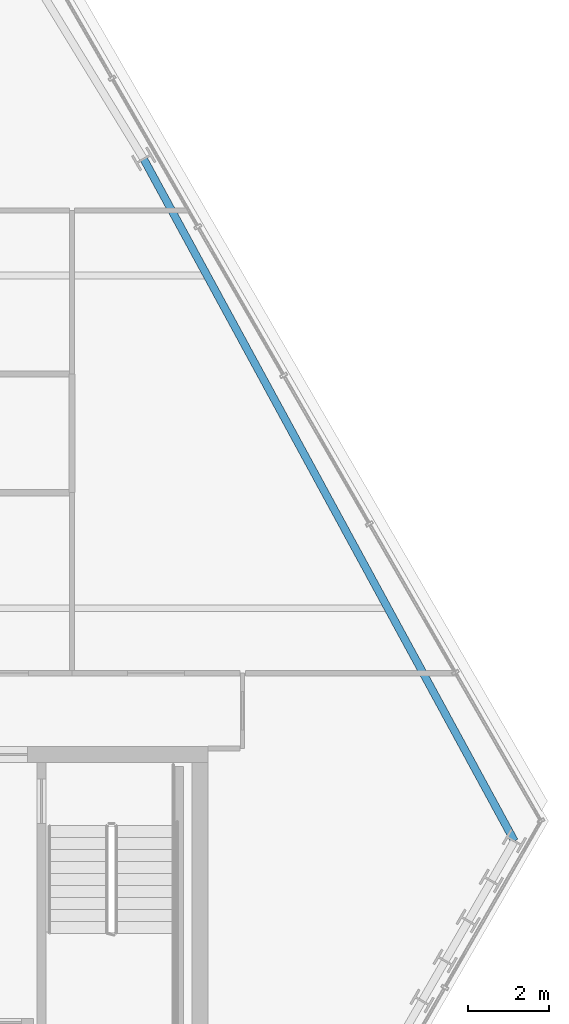
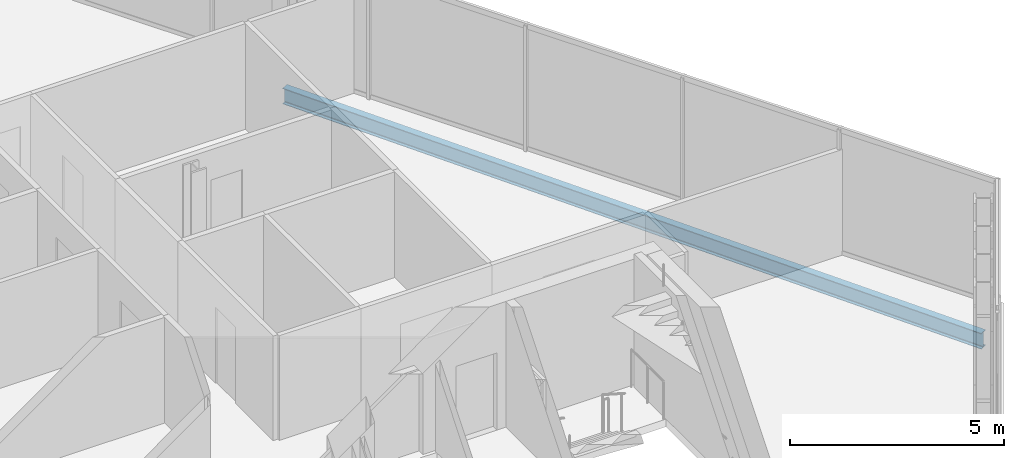
# One storey, part 16 of 33: 1 beam.
"""IFC4 building model written with IfcOpenShell, lengths in metres."""

from ifc_helpers import new_model, si_unit, direction, frame, origin, origin_2d, place, context, subcontext, project, spatial, i_section, extrude, material, material_profile, profile_set, type_object, element, save


model = new_model("IFC4")

# Units and contexts
model_context = context("Model", 3, precision=1e-05, world=origin(), true_north=direction((0.0, 1.0)))
body_context = subcontext(model_context, "Body", "Model", "MODEL_VIEW")
ifc_project = project(units=[si_unit("LENGTHUNIT", "METRE"), si_unit("AREAUNIT", "SQUARE_METRE"), si_unit("VOLUMEUNIT", "CUBIC_METRE"), si_unit("PLANEANGLEUNIT", "RADIAN"), si_unit("MASSUNIT", "GRAM", prefix="KILO")], contexts=[model_context])

# Site, building, storey
site_placement = place(None, origin())
site = spatial("IfcSite", under=ifc_project, at=site_placement, CompositionType="ELEMENT")
building_placement = place(site_placement, origin())
building = spatial("IfcBuilding", under=site, at=building_placement, Name="Ndaravel Arena Tower", CompositionType="ELEMENT")
storey_placement = place(building_placement, frame((0.0, 0.0, 184.0)))
storey = spatial("IfcBuildingStorey", under=building, at=storey_placement, Name="L44", CompositionType="ELEMENT", Elevation=184.0)

# Beam
ifc_material = material(Name="Steel S355", Category="steel")
ifc_material_profile = material_profile(ifc_material, i_section(OverallWidth=0.18994140625, OverallDepth=0.449951171875, WebThickness=0.009521484375, FlangeThickness=0.0146484375, FilletRadius=0.02099609375, at=origin_2d()), Name="IPE 450")
ifc_profile_set = profile_set([ifc_material_profile], Name="Steel S355")
beam_type = type_object("IfcBeamType", Name="BM-SPAN-IPE450", PredefinedType="SPANDREL", material=ifc_profile_set)
beam_placement = place(storey_placement, frame((65.093994140625, 12.866943359375, -0.445068359375), z_axis=(-0.477531106399, 0.878614843046, 0.0), x_axis=(-0.878614843046, -0.477531106399, 0.0)))
element("IfcBeam", 1, at=beam_placement, inside=storey, type_object=beam_type, Name="L44 Perimeter Spandrel Beam SP-09", PredefinedType="SPANDREL", context=body_context, shape_type="SweptSolid", body=[
    extrude(i_section(OverallWidth=0.18994140625, OverallDepth=0.449951171875, WebThickness=0.009521484375, FlangeThickness=0.0146484375, FilletRadius=0.02099609375, at=origin_2d()), origin(), (0.0, 0.0, 1.0), 19.119873046875),
])

save(model, "model.ifc")
